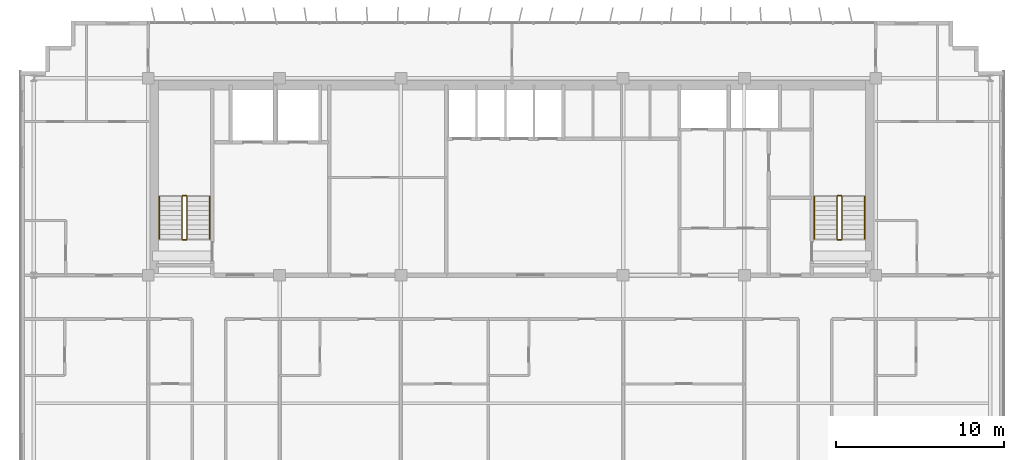
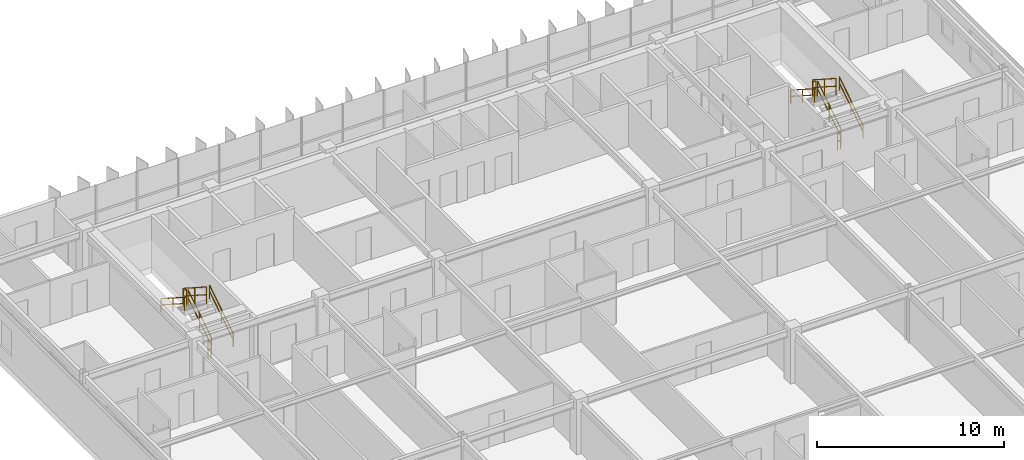
# One storey, part 23 of 23: 12 railings.
"""IFC4 building model written with IfcOpenShell, lengths in metres."""

import ifcopenshell
import ifcopenshell.guid

model = None  # the IFC model being written
_history = None  # IfcOwnerHistory: only IFC2X3 demands one
_inside = {}  # id of a spatial element -> (the spatial element, [elements in it])
_under = {}  # id of a project, library or spatial element -> (it, [spatial elements below it])
_declared = {}  # id of a project -> (the project, [libraries it declares])
_typed = {}  # id of a type object -> (the type object, [elements of that type])
_made_of = {}  # id of a material, layer set ... -> (it, [elements and type objects made of it])


def new_model(schema):
    """Start an empty IFC model of exactly this schema.

    Asked for "IFC4X3", IfcOpenShell would pick the latest addendum, in which some entities
    have other attributes; the version numbers below select the first issue.
    IFC2X3 requires an IfcOwnerHistory on every rooted entity: one is made here for all.
    """
    global model, _history
    if schema == "IFC4X3":
        model = ifcopenshell.file(schema_version=(4, 3, 0, 0))
    else:
        model = ifcopenshell.file(schema=schema)
    _inside.clear()
    _under.clear()
    _declared.clear()
    _typed.clear()
    _made_of.clear()
    _history = None
    if model.schema == "IFC2X3":
        org = make("IfcOrganization", Name="unknown")
        user = make(
            "IfcPersonAndOrganization",
            ThePerson=make("IfcPerson", FamilyName="unknown"),
            TheOrganization=org,
        )
        app = make(
            "IfcApplication",
            ApplicationDeveloper=org,
            Version="unknown",
            ApplicationFullName="unknown",
            ApplicationIdentifier="unknown",
        )
        _history = make(
            "IfcOwnerHistory",
            OwningUser=user,
            OwningApplication=app,
            ChangeAction="ADDED",
            CreationDate=0,
        )
    return model


def make(cls, **values):
    """One entity of the class cls with the attributes given. An attribute that is None is left unset."""
    return model.create_entity(
        cls, **{name: value for name, value in values.items() if value is not None}
    )


def rooted(cls, **values):
    """An entity with a GlobalId (a new one), such as an element, a storey or a relation."""
    return make(cls, GlobalId=ifcopenshell.guid.new(), OwnerHistory=_history, **values)


def si_unit(unit_type, name, prefix=None):
    """IfcSIUnit, for example si_unit("LENGTHUNIT", "METRE", prefix="MILLI")."""
    return make("IfcSIUnit", UnitType=unit_type, Prefix=prefix, Name=name)


def assignment(units):
    """IfcUnitAssignment: the units of a project."""
    return None if units is None else make("IfcUnitAssignment", Units=units)


def point(xyz):
    """IfcCartesianPoint."""
    return None if xyz is None else make("IfcCartesianPoint", Coordinates=xyz)


def direction(xyz):
    """IfcDirection."""
    return None if xyz is None else make("IfcDirection", DirectionRatios=xyz)


def frame(location, z_axis=None, x_axis=None):
    """IfcAxis2Placement3D, a coordinate frame: its origin and axes. An axis left out is left unset."""
    return make(
        "IfcAxis2Placement3D",
        Location=point(location),
        Axis=direction(z_axis),
        RefDirection=direction(x_axis),
    )


def frame_2d(location, x_axis=None):
    """IfcAxis2Placement2D, a coordinate frame in the plane: its origin and x axis."""
    return make(
        "IfcAxis2Placement2D", Location=point(location), RefDirection=direction(x_axis)
    )


def origin():
    """The frame at (0, 0, 0) with its axes left unset."""
    return frame((0.0, 0.0, 0.0))


def origin_2d():
    """The frame at (0, 0) in the plane with its x axis left unset."""
    return frame_2d((0.0, 0.0))


def place(relative_to, where):
    """IfcLocalPlacement: puts the frame where relative to a parent placement (None: the world)."""
    return make(
        "IfcLocalPlacement", PlacementRelTo=relative_to, RelativePlacement=where
    )


def context(
    kind, dimensions, precision=None, world=None, true_north=None, identifier=None
):
    """IfcGeometricRepresentationContext, for example the 3D "Model" context."""
    return make(
        "IfcGeometricRepresentationContext",
        ContextIdentifier=identifier,
        ContextType=kind,
        CoordinateSpaceDimension=dimensions,
        Precision=precision,
        WorldCoordinateSystem=world,
        TrueNorth=true_north,
    )


def subcontext(parent, identifier, kind, view, scale=None):
    """IfcGeometricRepresentationSubContext, for example "Body" below "Model"."""
    return make(
        "IfcGeometricRepresentationSubContext",
        ContextIdentifier=identifier,
        ContextType=kind,
        ParentContext=parent,
        TargetScale=scale,
        TargetView=view,
    )


def project(units=None, contexts=None):
    """IfcProject with its units and contexts."""
    return rooted(
        "IfcProject",
        Name="project",
        RepresentationContexts=contexts,
        UnitsInContext=assignment(units),
    )


def spatial(cls, under=None, at=None, **own):
    """A site, building, storey or space (cls), placed at a placement, below another one or the project."""
    s = rooted(cls, ObjectPlacement=at, **own)
    if under is not None:
        _under.setdefault(under.id(), (under, []))[1].append(s)
    return s


def profile(cls, at=None, kind="AREA", **sizes):
    """A parametric profile (cls). Its sizes go by their IFC names, for example OverallWidth=200.0."""
    return make(cls, ProfileType=kind, Position=at, **sizes)


def rectangle(**sizes):
    """IfcRectangleProfileDef."""
    return profile("IfcRectangleProfileDef", **sizes)


def extrude(swept, where, along, depth):
    """IfcExtrudedAreaSolid: the profile swept, set in the frame where, extruded along a direction by depth."""
    return make(
        "IfcExtrudedAreaSolid",
        SweptArea=swept,
        Position=where,
        ExtrudedDirection=direction(along),
        Depth=depth,
    )


def shape(context_of_items, identifier, shape_type, items):
    """IfcShapeRepresentation: the items that make up one representation, for example the "Body"."""
    return make(
        "IfcShapeRepresentation",
        ContextOfItems=context_of_items,
        RepresentationIdentifier=identifier,
        RepresentationType=shape_type,
        Items=items,
    )


def material(Name=None, Category=None):
    """IfcMaterial."""
    return make("IfcMaterial", Name=Name, Category=Category)


def made_of(thing, what):
    """Note that an element or type object is made of a material, layer set ...; save() writes the relation."""
    if what is not None:
        _made_of.setdefault(what.id(), (what, []))[1].append(thing)
    return thing


def type_object(cls, material=None, **own):
    """A type object (cls), such as IfcWallType, which elements share."""
    return made_of(rooted(cls, **own), material)


def element(
    cls,
    number,
    at=None,
    inside=None,
    cuts=None,
    type_object=None,
    material=None,
    context=None,
    identifier="Body",
    shape_type=None,
    held_by="IfcProductDefinitionShape",
    body=None,
    shapes=None,
    **own,
):
    """One element of the class cls, such as IfcWall. Its Tag is "e" and its number.

    at: its placement. inside: the storey or other place that contains it. cuts: it is an
    opening in that element (IfcRelVoidsElement). A single representation is given by context,
    identifier, shape_type and body (its items); several are given by shapes. held_by: the class
    of the entity that holds the representations. save() writes the other relations.
    """
    e = rooted(cls, Tag="e%d" % number, ObjectPlacement=at, **own)
    if body is not None:
        shapes = [shape(context, identifier, shape_type, body)]
    if shapes is not None:
        e.Representation = make(held_by, Representations=shapes)
    if inside is not None:
        _inside.setdefault(inside.id(), (inside, []))[1].append(e)
    if cuts is not None:
        rooted(
            "IfcRelVoidsElement", RelatingBuildingElement=cuts, RelatedOpeningElement=e
        )
    if type_object is not None:
        _typed.setdefault(type_object.id(), (type_object, []))[1].append(e)
    return made_of(e, material)


def aggregate(whole, parts):
    """IfcRelAggregates: a whole, such as a stair, and the parts it consists of."""
    return rooted("IfcRelAggregates", RelatingObject=whole, RelatedObjects=parts)


def save(model, path):
    """Write the relations noted so far, then the file.

    IfcRelAggregates (storeys below a building ...), IfcRelContainedInSpatialStructure (elements
    in a storey), IfcRelDefinesByType, IfcRelAssociatesMaterial and IfcRelDeclares: one each for
    every whole, place, type object, material and project.
    """
    for whole, parts in _under.values():
        aggregate(whole, parts)
    for where, things in _inside.values():
        rooted(
            "IfcRelContainedInSpatialStructure",
            RelatedElements=things,
            RelatingStructure=where,
        )
    for kind, things in _typed.values():
        rooted("IfcRelDefinesByType", RelatedObjects=things, RelatingType=kind)
    for what, things in _made_of.values():
        rooted("IfcRelAssociatesMaterial", RelatedObjects=things, RelatingMaterial=what)
    for by, libraries in _declared.values():
        rooted("IfcRelDeclares", RelatingContext=by, RelatedDefinitions=libraries)
    model.write(path)


model = new_model("IFC4")

# Units and contexts
model_context = context("Model", 3, precision=1e-05, world=origin(), true_north=direction((0.0, 1.0)))
body_context = subcontext(model_context, "Body", "Model", "MODEL_VIEW")
ifc_project = project(units=[si_unit("LENGTHUNIT", "METRE"), si_unit("AREAUNIT", "SQUARE_METRE"), si_unit("VOLUMEUNIT", "CUBIC_METRE"), si_unit("PLANEANGLEUNIT", "RADIAN"), si_unit("MASSUNIT", "GRAM", prefix="KILO")], contexts=[model_context])

# Site, building, storey
site_placement = place(None, origin())
site = spatial("IfcSite", under=ifc_project, at=site_placement, CompositionType="ELEMENT")
building_placement = place(site_placement, origin())
building = spatial("IfcBuilding", under=site, at=building_placement, Name="Trelvane Seafront Commons", CompositionType="ELEMENT")
storey_placement = place(building_placement, frame((0.0, 0.0, 204.89990234375)))
storey = spatial("IfcBuildingStorey", under=building, at=storey_placement, Name="L53", CompositionType="ELEMENT", Elevation=204.89990234375)

# Railings
ifc_material = material(Name="Stainless steel balustrade", Category="steel")
railing_type_1 = type_object("IfcRailingType", Name="ARCH-SRL-GUARD", PredefinedType="GUARDRAIL", material=ifc_material)
railing_1_placement = place(storey_placement, frame((17.89990234375, 35.550048828125, 0.18017578125)))
element("IfcRailing", 1, at=railing_1_placement, inside=storey, type_object=railing_type_1, Name="L53 ST-1 stair guard 1", PredefinedType="GUARDRAIL", context=body_context, shape_type="SweptSolid", body=[
    extrude(rectangle(XDim=0.048095703125, YDim=0.048095703125, at=origin_2d()), frame((0.0, 0.0, 1.076171875), z_axis=(0.0, 0.841199657755, 0.540724639528), x_axis=(-1.0, 0.0, 0.0)), (0.0, 0.0, 1.0), 2.995849609375),
    extrude(rectangle(XDim=0.048095703125, YDim=0.048095703125, at=origin_2d()), frame((0.0, 0.0, 0.572021484375), z_axis=(0.0, 0.841199657755, 0.540724639528), x_axis=(-1.0, 0.0, 0.0)), (0.0, 0.0, 1.0), 2.995849609375),
    extrude(rectangle(XDim=0.0419921875, YDim=0.0419921875, at=origin_2d()), origin(), (0.0, 0.0, 1.0), 1.076171875),
    extrude(rectangle(XDim=0.0419921875, YDim=0.0419921875, at=origin_2d()), frame((0.0, 1.260009765625, 0.81005859375)), (0.0, 0.0, 1.0), 1.076171875),
    extrude(rectangle(XDim=0.0419921875, YDim=0.0419921875, at=origin_2d()), frame((0.0, 2.52001953125, 1.619873046875)), (0.0, 0.0, 1.0), 1.076171875),
])
railing_2_placement = place(storey_placement, frame((17.85009765625, 38.1201171875, 1.800048828125)))
element("IfcRailing", 2, at=railing_2_placement, inside=storey, type_object=railing_type_1, Name="L53 ST-1 stair guard 2", PredefinedType="GUARDRAIL", context=body_context, shape_type="SweptSolid", body=[
    extrude(rectangle(XDim=0.048095703125, YDim=0.048095703125, at=origin_2d()), frame((0.0, 0.0, 1.076171875), z_axis=(-1.0, 0.0, 0.0), x_axis=(0.0, -1.0, 0.0)), (0.0, 0.0, 1.0), 0.2001953125),
    extrude(rectangle(XDim=0.048095703125, YDim=0.048095703125, at=origin_2d()), frame((0.0, 0.0, 0.572021484375), z_axis=(-1.0, 0.0, 0.0), x_axis=(0.0, -1.0, 0.0)), (0.0, 0.0, 1.0), 0.2001953125),
    extrude(rectangle(XDim=0.0419921875, YDim=0.0419921875, at=origin_2d()), origin(), (0.0, 0.0, 1.0), 1.076171875),
    extrude(rectangle(XDim=0.0419921875, YDim=0.0419921875, at=origin_2d()), frame((-0.2001953125, 0.0, 0.0)), (0.0, 0.0, 1.0), 1.076171875),
])
railing_3_placement = place(storey_placement, frame((17.60009765625, 38.070068359375, 1.97998046875)))
element("IfcRailing", 3, at=railing_3_placement, inside=storey, type_object=railing_type_1, Name="L53 ST-1 stair guard 3", PredefinedType="GUARDRAIL", context=body_context, shape_type="SweptSolid", body=[
    extrude(rectangle(XDim=0.048095703125, YDim=0.048095703125, at=origin_2d()), frame((0.0, 0.0, 1.076171875), z_axis=(0.0, -0.841162588446, 0.540782303519), x_axis=(1.0, 0.0, 0.0)), (0.0, 0.0, 1.0), 2.995849609375),
    extrude(rectangle(XDim=0.048095703125, YDim=0.048095703125, at=origin_2d()), frame((0.0, 0.0, 0.572021484375), z_axis=(0.0, -0.841162588446, 0.540782303519), x_axis=(1.0, 0.0, 0.0)), (0.0, 0.0, 1.0), 2.995849609375),
    extrude(rectangle(XDim=0.0419921875, YDim=0.0419921875, at=origin_2d()), origin(), (0.0, 0.0, 1.0), 1.076171875),
    extrude(rectangle(XDim=0.0419921875, YDim=0.0419921875, at=origin_2d()), frame((0.0, -1.260009765625, 0.81005859375)), (0.0, 0.0, 1.0), 1.076171875),
    extrude(rectangle(XDim=0.0419921875, YDim=0.0419921875, at=origin_2d()), frame((0.0, -2.52001953125, 1.6201171875)), (0.0, 0.0, 1.0), 1.076171875),
])
railing_4_placement = place(storey_placement, frame((17.85009765625, 35.5, 0.0)))
element("IfcRailing", 4, at=railing_4_placement, inside=storey, type_object=railing_type_1, Name="L53 ST-1 stair guard 4", PredefinedType="GUARDRAIL", context=body_context, shape_type="SweptSolid", body=[
    extrude(rectangle(XDim=0.048095703125, YDim=0.048095703125, at=origin_2d()), frame((0.0, 0.0, 1.076171875), z_axis=(-1.0, 0.0, 0.0), x_axis=(0.0, -1.0, 0.0)), (0.0, 0.0, 1.0), 0.2001953125),
    extrude(rectangle(XDim=0.048095703125, YDim=0.048095703125, at=origin_2d()), frame((0.0, 0.0, 0.572021484375), z_axis=(-1.0, 0.0, 0.0), x_axis=(0.0, -1.0, 0.0)), (0.0, 0.0, 1.0), 0.2001953125),
    extrude(rectangle(XDim=0.0419921875, YDim=0.0419921875, at=origin_2d()), origin(), (0.0, 0.0, 1.0), 1.076171875),
    extrude(rectangle(XDim=0.0419921875, YDim=0.0419921875, at=origin_2d()), frame((-0.2001953125, 0.0, 0.0)), (0.0, 0.0, 1.0), 1.076171875),
])
railing_5_placement = place(storey_placement, frame((56.800048828125, 35.550048828125, 0.18017578125)))
element("IfcRailing", 5, at=railing_5_placement, inside=storey, type_object=railing_type_1, Name="L53 ST-2 stair guard 1", PredefinedType="GUARDRAIL", context=body_context, shape_type="SweptSolid", body=[
    extrude(rectangle(XDim=0.048095703125, YDim=0.048095703125, at=origin_2d()), frame((0.0, 0.0, 1.076171875), z_axis=(0.0, 0.841199657755, 0.540724639528), x_axis=(-1.0, 0.0, 0.0)), (0.0, 0.0, 1.0), 2.995849609375),
    extrude(rectangle(XDim=0.048095703125, YDim=0.048095703125, at=origin_2d()), frame((0.0, 0.0, 0.572021484375), z_axis=(0.0, 0.841199657755, 0.540724639528), x_axis=(-1.0, 0.0, 0.0)), (0.0, 0.0, 1.0), 2.995849609375),
    extrude(rectangle(XDim=0.0419921875, YDim=0.0419921875, at=origin_2d()), origin(), (0.0, 0.0, 1.0), 1.076171875),
    extrude(rectangle(XDim=0.0419921875, YDim=0.0419921875, at=origin_2d()), frame((0.0, 1.260009765625, 0.81005859375)), (0.0, 0.0, 1.0), 1.076171875),
    extrude(rectangle(XDim=0.0419921875, YDim=0.0419921875, at=origin_2d()), frame((0.0, 2.52001953125, 1.619873046875)), (0.0, 0.0, 1.0), 1.076171875),
])
railing_6_placement = place(storey_placement, frame((56.75, 38.1201171875, 1.800048828125)))
element("IfcRailing", 6, at=railing_6_placement, inside=storey, type_object=railing_type_1, Name="L53 ST-2 stair guard 2", PredefinedType="GUARDRAIL", context=body_context, shape_type="SweptSolid", body=[
    extrude(rectangle(XDim=0.048095703125, YDim=0.048095703125, at=origin_2d()), frame((0.0, 0.0, 1.076171875), z_axis=(-1.0, 0.0, 0.0), x_axis=(0.0, -1.0, 0.0)), (0.0, 0.0, 1.0), 0.199951171875),
    extrude(rectangle(XDim=0.048095703125, YDim=0.048095703125, at=origin_2d()), frame((0.0, 0.0, 0.572021484375), z_axis=(-1.0, 0.0, 0.0), x_axis=(0.0, -1.0, 0.0)), (0.0, 0.0, 1.0), 0.199951171875),
    extrude(rectangle(XDim=0.0419921875, YDim=0.0419921875, at=origin_2d()), origin(), (0.0, 0.0, 1.0), 1.076171875),
    extrude(rectangle(XDim=0.0419921875, YDim=0.0419921875, at=origin_2d()), frame((-0.199951171875, 0.0, 0.0)), (0.0, 0.0, 1.0), 1.076171875),
])
railing_7_placement = place(storey_placement, frame((56.5, 38.070068359375, 1.97998046875)))
element("IfcRailing", 7, at=railing_7_placement, inside=storey, type_object=railing_type_1, Name="L53 ST-2 stair guard 3", PredefinedType="GUARDRAIL", context=body_context, shape_type="SweptSolid", body=[
    extrude(rectangle(XDim=0.048095703125, YDim=0.048095703125, at=origin_2d()), frame((0.0, 0.0, 1.076171875), z_axis=(0.0, -0.841162588446, 0.540782303519), x_axis=(1.0, 0.0, 0.0)), (0.0, 0.0, 1.0), 2.995849609375),
    extrude(rectangle(XDim=0.048095703125, YDim=0.048095703125, at=origin_2d()), frame((0.0, 0.0, 0.572021484375), z_axis=(0.0, -0.841162588446, 0.540782303519), x_axis=(1.0, 0.0, 0.0)), (0.0, 0.0, 1.0), 2.995849609375),
    extrude(rectangle(XDim=0.0419921875, YDim=0.0419921875, at=origin_2d()), origin(), (0.0, 0.0, 1.0), 1.076171875),
    extrude(rectangle(XDim=0.0419921875, YDim=0.0419921875, at=origin_2d()), frame((0.0, -1.260009765625, 0.81005859375)), (0.0, 0.0, 1.0), 1.076171875),
    extrude(rectangle(XDim=0.0419921875, YDim=0.0419921875, at=origin_2d()), frame((0.0, -2.52001953125, 1.6201171875)), (0.0, 0.0, 1.0), 1.076171875),
])
railing_8_placement = place(storey_placement, frame((56.75, 35.5, 0.0)))
element("IfcRailing", 8, at=railing_8_placement, inside=storey, type_object=railing_type_1, Name="L53 ST-2 stair guard 4", PredefinedType="GUARDRAIL", context=body_context, shape_type="SweptSolid", body=[
    extrude(rectangle(XDim=0.048095703125, YDim=0.048095703125, at=origin_2d()), frame((0.0, 0.0, 1.076171875), z_axis=(-1.0, 0.0, 0.0), x_axis=(0.0, -1.0, 0.0)), (0.0, 0.0, 1.0), 0.199951171875),
    extrude(rectangle(XDim=0.048095703125, YDim=0.048095703125, at=origin_2d()), frame((0.0, 0.0, 0.572021484375), z_axis=(-1.0, 0.0, 0.0), x_axis=(0.0, -1.0, 0.0)), (0.0, 0.0, 1.0), 0.199951171875),
    extrude(rectangle(XDim=0.0419921875, YDim=0.0419921875, at=origin_2d()), origin(), (0.0, 0.0, 1.0), 1.076171875),
    extrude(rectangle(XDim=0.0419921875, YDim=0.0419921875, at=origin_2d()), frame((-0.199951171875, 0.0, 0.0)), (0.0, 0.0, 1.0), 1.076171875),
])
railing_type_2 = type_object("IfcRailingType", Name="ARCH-SRL-HAND", PredefinedType="HANDRAIL", material=ifc_material)
railing_9_placement = place(storey_placement, frame((19.25, 35.550048828125, 0.18017578125)))
element("IfcRailing", 9, at=railing_9_placement, inside=storey, type_object=railing_type_2, Name="L53 ST-1 stair handrail 1", PredefinedType="HANDRAIL", context=body_context, shape_type="SweptSolid", body=[
    extrude(rectangle(XDim=0.048095703125, YDim=0.048095703125, at=origin_2d()), frame((0.0, 0.0, 0.8759765625), z_axis=(0.0, 0.841199657755, 0.540724639528), x_axis=(-1.0, 0.0, 0.0)), (0.0, 0.0, 1.0), 2.995849609375),
    extrude(rectangle(XDim=0.048095703125, YDim=0.048095703125, at=origin_2d()), frame((0.0, 0.0, 0.468017578125), z_axis=(0.0, 0.841199657755, 0.540724639528), x_axis=(-1.0, 0.0, 0.0)), (0.0, 0.0, 1.0), 2.995849609375),
    extrude(rectangle(XDim=0.0419921875, YDim=0.0419921875, at=origin_2d()), origin(), (0.0, 0.0, 1.0), 0.8759765625),
    extrude(rectangle(XDim=0.0419921875, YDim=0.0419921875, at=origin_2d()), frame((0.0, 1.260009765625, 0.81005859375)), (0.0, 0.0, 1.0), 0.8759765625),
    extrude(rectangle(XDim=0.0419921875, YDim=0.0419921875, at=origin_2d()), frame((0.0, 2.52001953125, 1.619873046875)), (0.0, 0.0, 1.0), 0.8759765625),
])
railing_10_placement = place(storey_placement, frame((16.25, 38.070068359375, 1.97998046875)))
element("IfcRailing", 10, at=railing_10_placement, inside=storey, type_object=railing_type_2, Name="L53 ST-1 stair handrail 2", PredefinedType="HANDRAIL", context=body_context, shape_type="SweptSolid", body=[
    extrude(rectangle(XDim=0.048095703125, YDim=0.048095703125, at=origin_2d()), frame((0.0, 0.0, 0.8759765625), z_axis=(0.0, -0.841162588446, 0.540782303519), x_axis=(1.0, 0.0, 0.0)), (0.0, 0.0, 1.0), 2.995849609375),
    extrude(rectangle(XDim=0.048095703125, YDim=0.048095703125, at=origin_2d()), frame((0.0, 0.0, 0.468017578125), z_axis=(0.0, -0.841162588446, 0.540782303519), x_axis=(1.0, 0.0, 0.0)), (0.0, 0.0, 1.0), 2.995849609375),
    extrude(rectangle(XDim=0.0419921875, YDim=0.0419921875, at=origin_2d()), origin(), (0.0, 0.0, 1.0), 0.8759765625),
    extrude(rectangle(XDim=0.0419921875, YDim=0.0419921875, at=origin_2d()), frame((0.0, -1.260009765625, 0.81005859375)), (0.0, 0.0, 1.0), 0.8759765625),
    extrude(rectangle(XDim=0.0419921875, YDim=0.0419921875, at=origin_2d()), frame((0.0, -2.52001953125, 1.6201171875)), (0.0, 0.0, 1.0), 0.8759765625),
])
railing_11_placement = place(storey_placement, frame((58.14990234375, 35.550048828125, 0.18017578125)))
element("IfcRailing", 11, at=railing_11_placement, inside=storey, type_object=railing_type_2, Name="L53 ST-2 stair handrail 1", PredefinedType="HANDRAIL", context=body_context, shape_type="SweptSolid", body=[
    extrude(rectangle(XDim=0.048095703125, YDim=0.048095703125, at=origin_2d()), frame((0.0, 0.0, 0.8759765625), z_axis=(0.0, 0.841199657755, 0.540724639528), x_axis=(-1.0, 0.0, 0.0)), (0.0, 0.0, 1.0), 2.995849609375),
    extrude(rectangle(XDim=0.048095703125, YDim=0.048095703125, at=origin_2d()), frame((0.0, 0.0, 0.468017578125), z_axis=(0.0, 0.841199657755, 0.540724639528), x_axis=(-1.0, 0.0, 0.0)), (0.0, 0.0, 1.0), 2.995849609375),
    extrude(rectangle(XDim=0.0419921875, YDim=0.0419921875, at=origin_2d()), origin(), (0.0, 0.0, 1.0), 0.8759765625),
    extrude(rectangle(XDim=0.0419921875, YDim=0.0419921875, at=origin_2d()), frame((0.0, 1.260009765625, 0.81005859375)), (0.0, 0.0, 1.0), 0.8759765625),
    extrude(rectangle(XDim=0.0419921875, YDim=0.0419921875, at=origin_2d()), frame((0.0, 2.52001953125, 1.619873046875)), (0.0, 0.0, 1.0), 0.8759765625),
])
railing_12_placement = place(storey_placement, frame((55.14990234375, 38.070068359375, 1.97998046875)))
element("IfcRailing", 12, at=railing_12_placement, inside=storey, type_object=railing_type_2, Name="L53 ST-2 stair handrail 2", PredefinedType="HANDRAIL", context=body_context, shape_type="SweptSolid", body=[
    extrude(rectangle(XDim=0.048095703125, YDim=0.048095703125, at=origin_2d()), frame((0.0, 0.0, 0.8759765625), z_axis=(0.0, -0.841162588446, 0.540782303519), x_axis=(1.0, 0.0, 0.0)), (0.0, 0.0, 1.0), 2.995849609375),
    extrude(rectangle(XDim=0.048095703125, YDim=0.048095703125, at=origin_2d()), frame((0.0, 0.0, 0.468017578125), z_axis=(0.0, -0.841162588446, 0.540782303519), x_axis=(1.0, 0.0, 0.0)), (0.0, 0.0, 1.0), 2.995849609375),
    extrude(rectangle(XDim=0.0419921875, YDim=0.0419921875, at=origin_2d()), origin(), (0.0, 0.0, 1.0), 0.8759765625),
    extrude(rectangle(XDim=0.0419921875, YDim=0.0419921875, at=origin_2d()), frame((0.0, -1.260009765625, 0.81005859375)), (0.0, 0.0, 1.0), 0.8759765625),
    extrude(rectangle(XDim=0.0419921875, YDim=0.0419921875, at=origin_2d()), frame((0.0, -2.52001953125, 1.6201171875)), (0.0, 0.0, 1.0), 0.8759765625),
])

save(model, "model.ifc")
